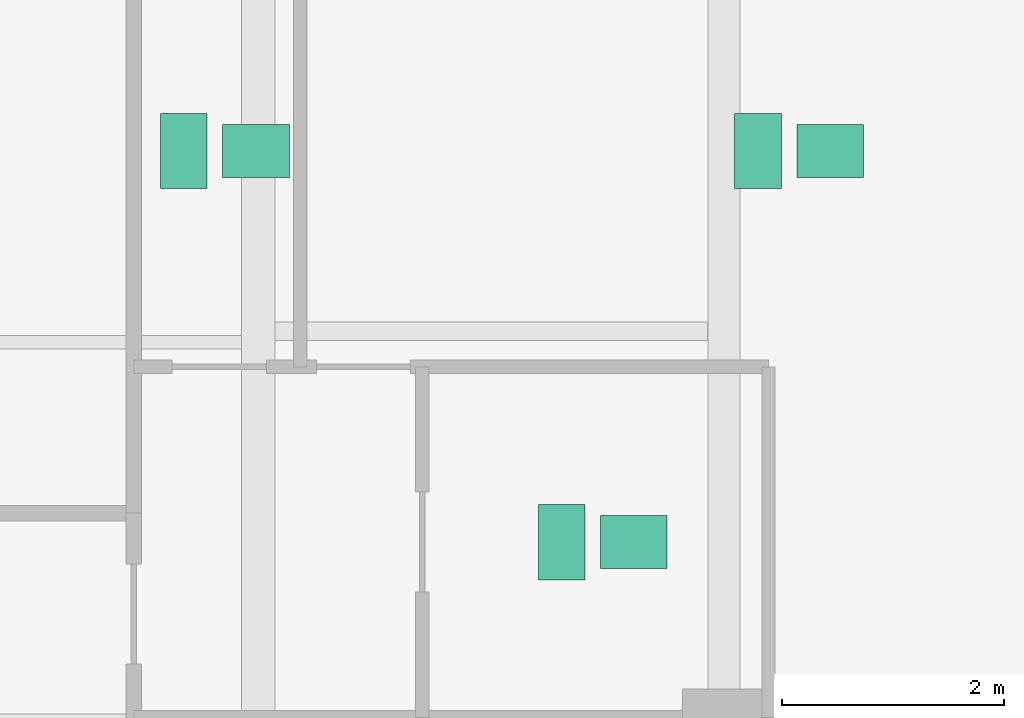
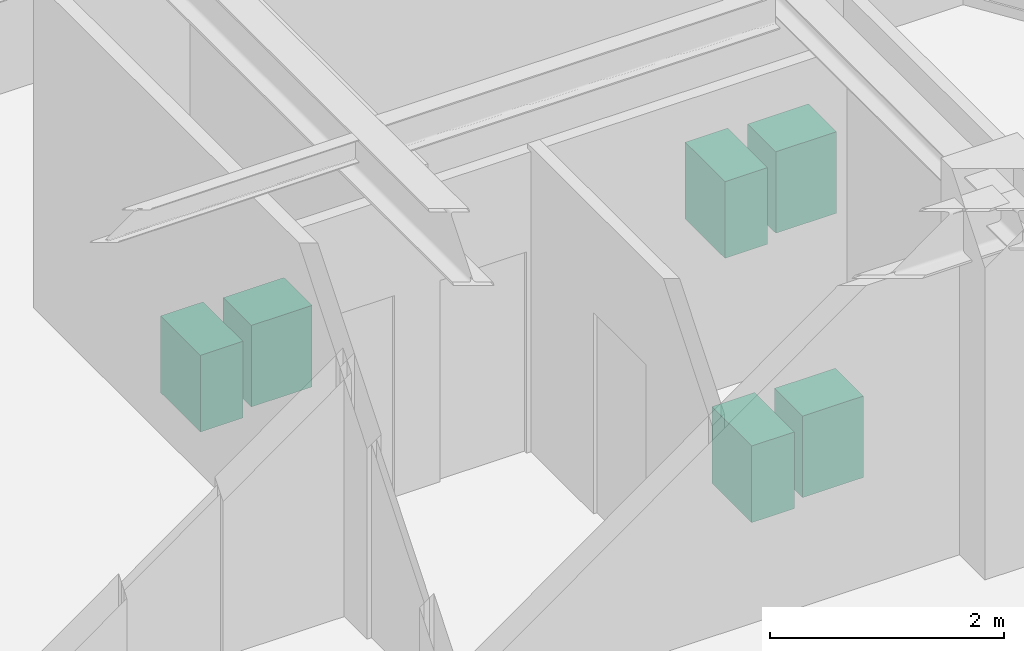
# One storey, part 21 of 21: 6 sanitary terminals.
"""IFC4 building model written with IfcOpenShell, lengths in metres."""

from ifc_helpers import new_model, si_unit, direction, frame, origin, origin_2d, place, context, subcontext, project, spatial, rectangle, extrude, source, transform, mapped, material, type_object, type_shapes, element, save


model = new_model("IFC4")

# Units and contexts
model_context = context("Model", 3, precision=1e-05, world=origin(), true_north=direction((0.0, 1.0)))
body_context = subcontext(model_context, "Body", "Model", "MODEL_VIEW")
ifc_project = project(units=[si_unit("LENGTHUNIT", "METRE"), si_unit("AREAUNIT", "SQUARE_METRE"), si_unit("VOLUMEUNIT", "CUBIC_METRE"), si_unit("PLANEANGLEUNIT", "RADIAN"), si_unit("MASSUNIT", "GRAM", prefix="KILO")], contexts=[model_context])

# Site, building, storey
site_placement = place(None, origin())
site = spatial("IfcSite", under=ifc_project, at=site_placement, CompositionType="ELEMENT")
building_placement = place(site_placement, origin())
building = spatial("IfcBuilding", under=site, at=building_placement, Name="Krantzveldt Concourse Tower", CompositionType="ELEMENT")
storey_placement = place(building_placement, frame((0.0, 0.0, 279.25)))
storey = spatial("IfcBuildingStorey", under=building, at=storey_placement, Name="L68", CompositionType="ELEMENT", Elevation=279.25)

# Sanitary terminals
ifc_material = material(Name="Vitreous china", Category="ceramic")
sanitary_terminal_type_1 = type_object("IfcSanitaryTerminalType", Name="SAN-WC-SUITE", PredefinedType="TOILETPAN", material=ifc_material)
shared_shape_1 = source(origin(), body_context, "Body", "SweptSolid", [
    extrude(rectangle(XDim=0.419921875, YDim=0.679931640625, at=origin_2d()), origin(), (0.0, 0.0, 1.0), 0.800048828125),
])
type_shapes(sanitary_terminal_type_1, [shared_shape_1])
for number, where, z_axis, x_axis, name in (
    (1, (51.305908203125, 31.925048828125, 0.0), (0.0, 0.0, 1.0), (1.0, 0.0, 0.0), "WC-SP-L68-WCM"),
    (2, (46.1298828125, 31.925048828125, 0.0), (0.0, 0.0, 1.0), (1.0, 0.0, 0.0), "WC-SP-L68-WCF"),
    (3, (49.534912109375, 28.39990234375, 0.0), (0.0, 0.0, 1.0), (1.0, 0.0, 0.0), "WC-SP-L68-WCA"),
):
    element("IfcSanitaryTerminal", number, at=place(storey_placement, frame(where, z_axis=z_axis, x_axis=x_axis)), inside=storey, type_object=sanitary_terminal_type_1, Name=name, PredefinedType="TOILETPAN", context=body_context, shape_type="MappedRepresentation", body=[
        mapped(shared_shape_1, transform((0.0, 0.0, 0.0), x_axis=(1.0, 0.0, 0.0), y_axis=(0.0, 1.0, 0.0), z_axis=(0.0, 0.0, 1.0), scale=1.0)),
    ])
sanitary_terminal_type_2 = type_object("IfcSanitaryTerminalType", Name="SAN-BASIN-600", PredefinedType="WASHHANDBASIN", material=ifc_material)
shared_shape_2 = source(origin(), body_context, "Body", "SweptSolid", [
    extrude(rectangle(XDim=0.60009765625, YDim=0.47998046875, at=origin_2d()), origin(), (0.0, 0.0, 1.0), 0.85009765625),
])
type_shapes(sanitary_terminal_type_2, [shared_shape_2])
for number, where, z_axis, x_axis, name in (
    (4, (51.9560546875, 31.925048828125, 0.0048828125), (0.0, 0.0, 1.0), (1.0, 0.0, 0.0), "BSN-SP-L68-WCM"),
    (5, (46.780029296875, 31.925048828125, 0.0048828125), (0.0, 0.0, 1.0), (1.0, 0.0, 0.0), "BSN-SP-L68-WCF"),
    (6, (50.18505859375, 28.39990234375, 0.0048828125), (0.0, 0.0, 1.0), (1.0, 0.0, 0.0), "BSN-SP-L68-WCA"),
):
    element("IfcSanitaryTerminal", number, at=place(storey_placement, frame(where, z_axis=z_axis, x_axis=x_axis)), inside=storey, type_object=sanitary_terminal_type_2, Name=name, PredefinedType="WASHHANDBASIN", context=body_context, shape_type="MappedRepresentation", body=[
        mapped(shared_shape_2, transform((0.0, 0.0, 0.0), x_axis=(1.0, 0.0, 0.0), y_axis=(0.0, 1.0, 0.0), z_axis=(0.0, 0.0, 1.0), scale=1.0)),
    ])

save(model, "model.ifc")
